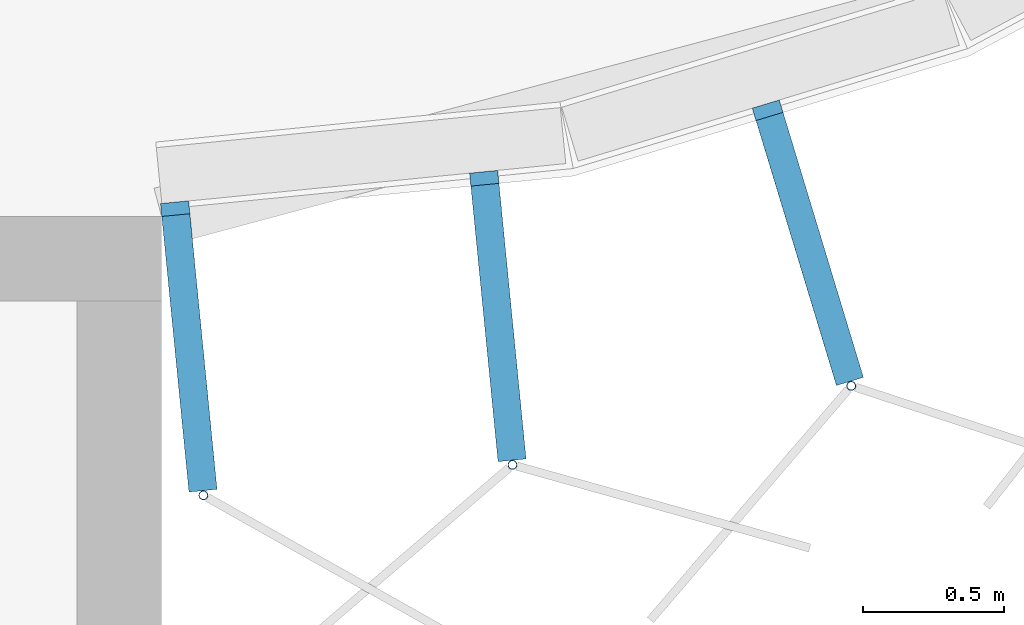
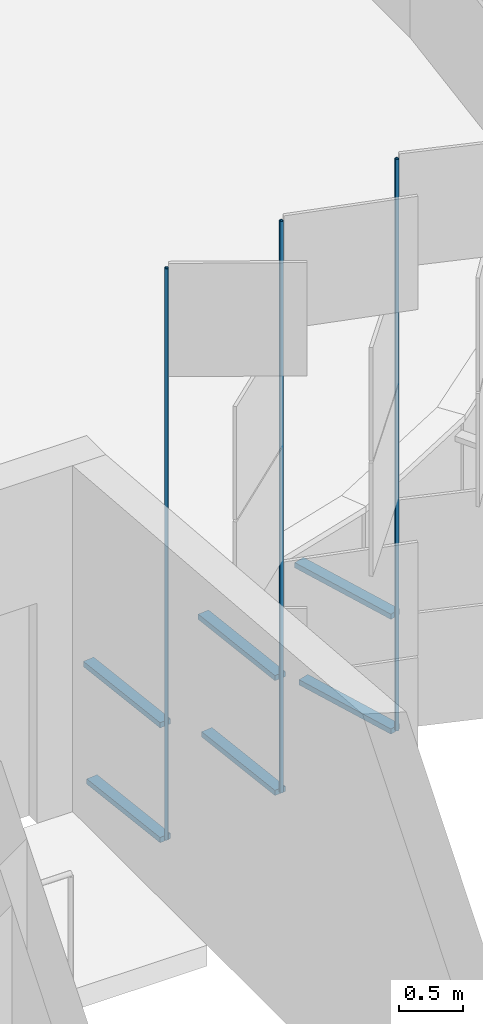
# One storey, part 171 of 483: 9 discrete accessories.
"""IFC4 building model written with IfcOpenShell, lengths in metres."""

from ifc_helpers import new_model, si_unit, direction, frame, origin, origin_2d, place, context, subcontext, project, spatial, rectangle, hollow_circle, extrude, material, material_profile, profile_set, type_object, element, save


model = new_model("IFC4")

# Units and contexts
model_context = context("Model", 3, precision=1e-05, world=origin(), true_north=direction((0.0, 1.0)))
body_context = subcontext(model_context, "Body", "Model", "MODEL_VIEW")
ifc_project = project(units=[si_unit("LENGTHUNIT", "METRE"), si_unit("AREAUNIT", "SQUARE_METRE"), si_unit("VOLUMEUNIT", "CUBIC_METRE"), si_unit("PLANEANGLEUNIT", "RADIAN"), si_unit("MASSUNIT", "GRAM", prefix="KILO")], contexts=[model_context])

# Site, building, storey
site_placement = place(None, origin())
site = spatial("IfcSite", under=ifc_project, at=site_placement, CompositionType="ELEMENT")
building_placement = place(site_placement, origin())
building = spatial("IfcBuilding", under=site, at=building_placement, Name="Parallax Yard Mobility Hub", CompositionType="ELEMENT")
storey_placement = place(building_placement, frame((0.0, 0.0, 13.199951171875)))
storey = spatial("IfcBuildingStorey", under=building, at=storey_placement, Name="L04", CompositionType="ELEMENT", Elevation=13.199951171875)

# Discrete accessories
ifc_material_1 = material(Name="Steel ASTM A36, hot-dip galvanised", Category="steel")
discrete_accessory_type_1 = type_object("IfcDiscreteAccessoryType", Name="Hinge bracket plate 100x50", PredefinedType="BRACKET", material=ifc_material_1)
discrete_accessory_1_placement = place(storey_placement, frame((217.5986328125, 22.015869140625, -0.02490234375), z_axis=(0.0, 0.0, 1.0), x_axis=(0.09801714033, -0.995184726672, 0.0)))
element("IfcDiscreteAccessory", 1, at=discrete_accessory_1_placement, inside=storey, type_object=discrete_accessory_type_1, Name="Hinge bracket plate bay 32.1 level L04", PredefinedType="BRACKET", context=body_context, shape_type="SweptSolid", body=[
    extrude(rectangle(XDim=0.984130859375, YDim=0.10009765625, at=origin_2d()), origin(), (0.0, 0.0, 1.0), 0.050048828125),
])
discrete_accessory_2_placement = place(storey_placement, frame((217.596435546875, 22.038818359375, 1.06982421875), z_axis=(0.0, 0.0, 1.0), x_axis=(0.09801714033, -0.995184726672, 0.0)))
element("IfcDiscreteAccessory", 2, at=discrete_accessory_2_placement, inside=storey, type_object=discrete_accessory_type_1, Name="Hinge bracket plate bay 32.1 level L04", PredefinedType="BRACKET", context=body_context, shape_type="SweptSolid", body=[
    extrude(rectangle(XDim=1.030029296875, YDim=0.10009765625, at=origin_2d()), origin(), (0.0, 0.0, 1.0), 0.050048828125),
])
discrete_accessory_3_placement = place(storey_placement, frame((218.697021484375, 22.123779296875, -0.02490234375), z_axis=(0.0, 0.0, 1.0), x_axis=(0.09801714033, -0.995184726672, 0.0)))
element("IfcDiscreteAccessory", 3, at=discrete_accessory_3_placement, inside=storey, type_object=discrete_accessory_type_1, Name="Hinge bracket plate bay 32.2 level L04", PredefinedType="BRACKET", context=body_context, shape_type="SweptSolid", body=[
    extrude(rectangle(XDim=0.984130859375, YDim=0.10009765625, at=origin_2d()), origin(), (0.0, 0.0, 1.0), 0.050048828125),
])
discrete_accessory_4_placement = place(storey_placement, frame((218.69482421875, 22.146728515625, 1.06982421875), z_axis=(0.0, 0.0, 1.0), x_axis=(0.09801714033, -0.995184726672, 0.0)))
element("IfcDiscreteAccessory", 4, at=discrete_accessory_4_placement, inside=storey, type_object=discrete_accessory_type_1, Name="Hinge bracket plate bay 32.2 level L04", PredefinedType="BRACKET", context=body_context, shape_type="SweptSolid", body=[
    extrude(rectangle(XDim=1.030029296875, YDim=0.10009765625, at=origin_2d()), origin(), (0.0, 0.0, 1.0), 0.050048828125),
])
discrete_accessory_5_placement = place(storey_placement, frame((219.80322265625, 22.38525390625, -0.02490234375), z_axis=(0.0, 0.0, 1.0), x_axis=(0.290284677254, -0.956940335732, 0.0)))
element("IfcDiscreteAccessory", 5, at=discrete_accessory_5_placement, inside=storey, type_object=discrete_accessory_type_1, Name="Hinge bracket plate bay 32.3 level L04", PredefinedType="BRACKET", context=body_context, shape_type="SweptSolid", body=[
    extrude(rectangle(XDim=0.984130859375, YDim=0.10009765625, at=origin_2d()), origin(), (0.0, 0.0, 1.0), 0.050048828125),
])
discrete_accessory_6_placement = place(storey_placement, frame((219.79638671875, 22.4072265625, 1.06982421875), z_axis=(0.0, 0.0, 1.0), x_axis=(0.290284677254, -0.956940335732, 0.0)))
element("IfcDiscreteAccessory", 6, at=discrete_accessory_6_placement, inside=storey, type_object=discrete_accessory_type_1, Name="Hinge bracket plate bay 32.3 level L04", PredefinedType="BRACKET", context=body_context, shape_type="SweptSolid", body=[
    extrude(rectangle(XDim=1.030029296875, YDim=0.10009765625, at=origin_2d()), origin(), (0.0, 0.0, 1.0), 0.050048828125),
])
ifc_material_2 = material(Name="Steel ASTM A500 Gr C, hot-dip galvanised", Category="steel")
ifc_material_profile = material_profile(ifc_material_2, hollow_circle(Radius=0.016845703125, WallThickness=0.003173828125, at=origin_2d()), Name="CHS 33.7x3.2")
ifc_profile_set = profile_set([ifc_material_profile], Name="Steel ASTM A500 Gr C, hot-dip galvanised")
discrete_accessory_type_2 = type_object("IfcDiscreteAccessoryType", Name="Hinge post CHS 33.7x3.2", PredefinedType="BRACKET", material=ifc_profile_set)
for number, where, z_axis, x_axis, name in (
    (7, (217.6484375, 21.509765625, 0.0), (0.0, 0.0, 1.0), (1.0, 0.0, 0.0), "Hinge post bay 32.1 level L04"),
    (8, (218.746826171875, 21.617919921875, 0.0), (0.0, 0.0, 1.0), (1.0, 0.0, 0.0), "Hinge post bay 32.2 level L04"),
    (9, (219.95068359375, 21.898681640625, 0.0), (0.0, 0.0, 1.0), (1.0, 0.0, 0.0), "Hinge post bay 32.3 level L04"),
):
    element("IfcDiscreteAccessory", number, at=place(storey_placement, frame(where, z_axis=z_axis, x_axis=x_axis)), inside=storey, type_object=discrete_accessory_type_2, Name=name, PredefinedType="BRACKET", context=body_context, shape_type="SweptSolid", body=[
        extrude(hollow_circle(Radius=0.016845703125, WallThickness=0.003173828125, at=origin_2d()), origin(), (0.0, 0.0, 1.0), 5.449951171875),
    ])

save(model, "model.ifc")
